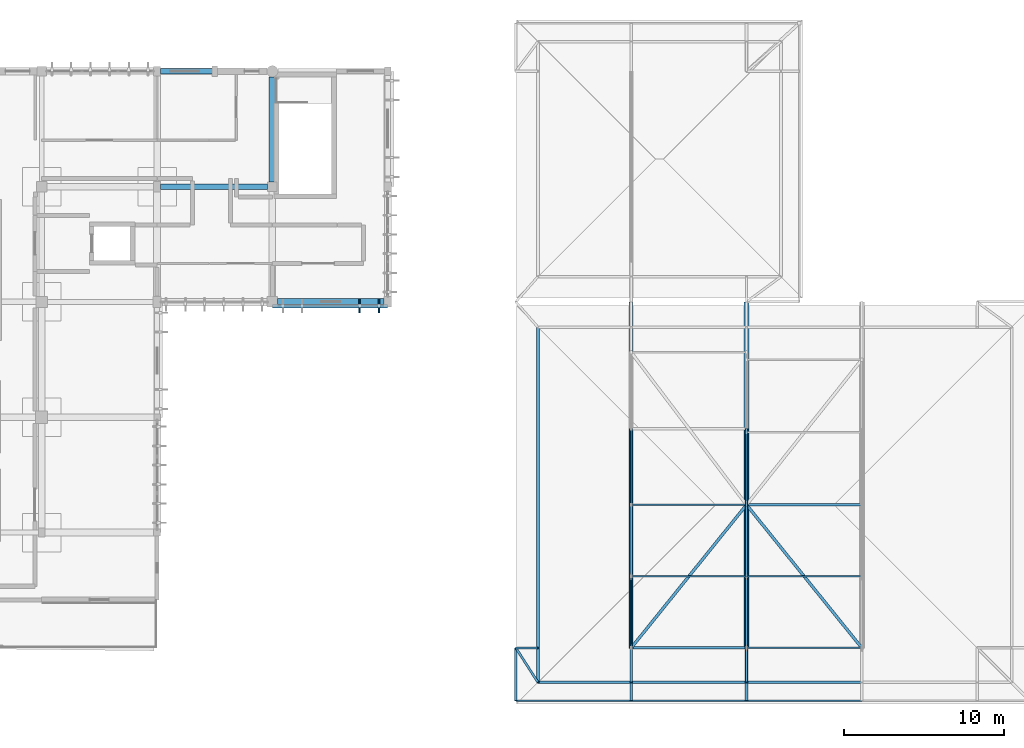
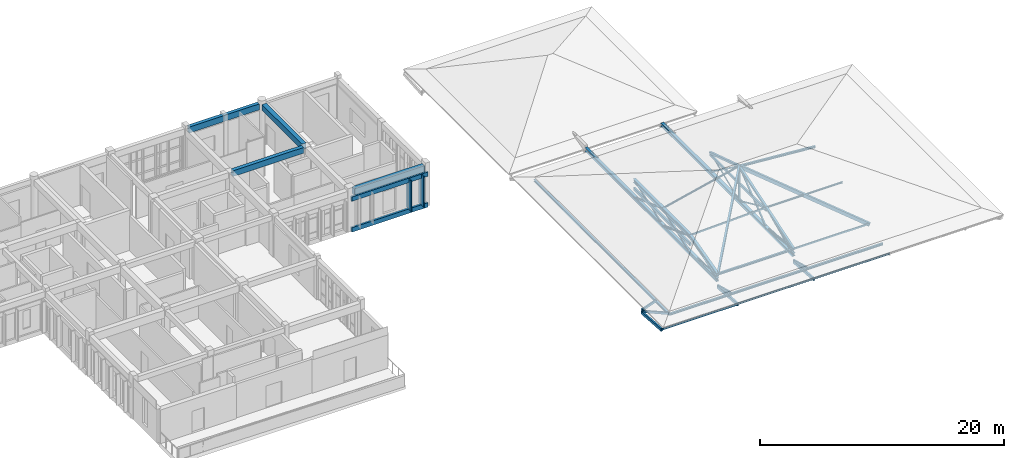
# One storey, part 6 of 19: 46 members, 8 beams.
"""IFC4 building model written with IfcOpenShell, lengths in metres."""

from ifc_helpers import new_model, si_unit, direction, frame, origin, origin_2d, place, context, subcontext, project, spatial, rectangle, hollow_rectangle, hollow_circle, i_section, extrude, material, material_profile, profile_set, type_object, element, save


model = new_model("IFC4")

# Units and contexts
model_context = context("Model", 3, precision=1e-05, world=origin(), true_north=direction((0.0, 1.0)))
body_context = subcontext(model_context, "Body", "Model", "MODEL_VIEW")
ifc_project = project(units=[si_unit("LENGTHUNIT", "METRE"), si_unit("AREAUNIT", "SQUARE_METRE"), si_unit("VOLUMEUNIT", "CUBIC_METRE"), si_unit("PLANEANGLEUNIT", "RADIAN"), si_unit("MASSUNIT", "GRAM", prefix="KILO")], contexts=[model_context])

# Site, building, storey
site_placement = place(None, origin())
site = spatial("IfcSite", under=ifc_project, at=site_placement, CompositionType="ELEMENT")
building_placement = place(site_placement, origin())
building = spatial("IfcBuilding", under=site, at=building_placement, Name="Steenspoor Specialist Clinic", CompositionType="ELEMENT")
storey_placement = place(building_placement, frame((0.0, 0.0, 21.60009765625)))
storey = spatial("IfcBuildingStorey", under=building, at=storey_placement, Name="L05", CompositionType="ELEMENT", Elevation=21.60009765625)

# Beams
ifc_material_1 = material(Name="Glulam GL28h", Category="wood")
ifc_material_profile_1 = material_profile(ifc_material_1, rectangle(XDim=0.199951171875, YDim=0.43994140625, at=origin_2d()), Name="GL28H-200X440")
ifc_profile_set_1 = profile_set([ifc_material_profile_1], Name="Glulam GL28h")
beam_type_1 = type_object("IfcBeamType", Name="BM-GL-200X440", PredefinedType="BEAM", material=ifc_profile_set_1)
for number, where, z_axis, x_axis, name in (
    (1, (110.0, 93.68505859375, 0.139892578125), (-1.0, 0.0, 0.0), (0.0, -1.0, 0.0), "Timber Screen Tie Rail V4 L05 150"),
    (2, (110.0, 93.68505859375, 3.219970703125), (-1.0, 0.0, 0.0), (0.0, -1.0, 0.0), "Timber Screen Tie Rail V4 L05 151"),
):
    element("IfcBeam", number, at=place(storey_placement, frame(where, z_axis=z_axis, x_axis=x_axis)), inside=storey, type_object=beam_type_1, Name=name, PredefinedType="BEAM", context=body_context, shape_type="SweptSolid", body=[
        extrude(rectangle(XDim=0.199951171875, YDim=0.43994140625, at=origin_2d()), origin(), (0.0, 0.0, 1.0), 7.199951171875),
    ])
ifc_material_2 = material(Name="Concrete C35/45", Category="concrete")
ifc_material_profile_2 = material_profile(ifc_material_2, rectangle(XDim=0.35009765625, YDim=0.580078125, at=origin_2d()), Name="RC-BM-350X580")
ifc_profile_set_2 = profile_set([ifc_material_profile_2], Name="Concrete C35/45")
beam_type_2 = type_object("IfcBeamType", Name="BM-RC-350X580", PredefinedType="BEAM", material=ifc_profile_set_2)
beam_1_placement = place(storey_placement, frame((95.820068359375, 101.14990234375, 3.744873046875), z_axis=(1.0, 0.0, 0.0), x_axis=(0.0, 1.0, 0.0)))
element("IfcBeam", 3, at=beam_1_placement, inside=storey, type_object=beam_type_2, Name="BM-V4-L05-X1020", PredefinedType="BEAM", context=body_context, shape_type="SweptSolid", body=[
    extrude(rectangle(XDim=0.35009765625, YDim=0.580078125, at=origin_2d()), origin(), (0.0, 0.0, 1.0), 6.684814453125),
])
ifc_material_profile_3 = material_profile(ifc_material_2, rectangle(XDim=0.39990234375, YDim=0.580078125, at=origin_2d()), Name="RC-BM-400X580")
ifc_profile_set_3 = profile_set([ifc_material_profile_3], Name="Concrete C35/45")
beam_type_3 = type_object("IfcBeamType", Name="BM-RC-400X580", PredefinedType="BEAM", material=ifc_profile_set_3)
beam_2_placement = place(storey_placement, frame((102.800048828125, 101.445068359375, 3.744873046875), z_axis=(0.0, 1.0, 0.0), x_axis=(-1.0, 0.0, 0.0)))
element("IfcBeam", 4, at=beam_2_placement, inside=storey, type_object=beam_type_3, Name="BM-V4-L05-Y1049", PredefinedType="BEAM", context=body_context, shape_type="SweptSolid", body=[
    extrude(rectangle(XDim=0.39990234375, YDim=0.580078125, at=origin_2d()), origin(), (0.0, 0.0, 1.0), 6.559814453125),
])
ifc_material_profile_4 = material_profile(ifc_material_2, rectangle(XDim=0.39990234375, YDim=0.64990234375, at=origin_2d()), Name="RC-BM-400X650")
ifc_profile_set_4 = profile_set([ifc_material_profile_4], Name="Concrete C35/45")
beam_type_4 = type_object("IfcBeamType", Name="BM-RC-400X650", PredefinedType="BEAM", material=ifc_profile_set_4)
beam_3_placement = place(storey_placement, frame((103.1201171875, 93.949951171875, 3.7099609375), z_axis=(1.0, 0.0, 0.0), x_axis=(0.0, 1.0, 0.0)))
element("IfcBeam", 5, at=beam_3_placement, inside=storey, type_object=beam_type_4, Name="BM-V4-L05-X1016", PredefinedType="BEAM", context=body_context, shape_type="SweptSolid", body=[
    extrude(rectangle(XDim=0.39990234375, YDim=0.64990234375, at=origin_2d()), origin(), (0.0, 0.0, 1.0), 6.659912109375),
])
ifc_material_3 = material(Name="Steel A992 Grade 50", Category="steel")
ifc_material_profile_5 = material_profile(ifc_material_3, i_section(OverallWidth=0.304931640625, OverallDepth=0.30810546875, WebThickness=0.010009765625, FlangeThickness=0.015380859375, at=origin_2d()), Name="W310X97")
ifc_profile_set_5 = profile_set([ifc_material_profile_5], Name="Steel A992 Grade 50")
beam_type_5 = type_object("IfcBeamType", Name="BM-ST-W310X97", PredefinedType="BEAM", material=ifc_profile_set_5)
beam_4_placement = place(storey_placement, frame((132.39990234375, 72.35009765625, 0.173828125), z_axis=(0.0, 1.0, 0.0), x_axis=(-1.0, 0.0, 0.0)))
element("IfcBeam", 6, at=beam_4_placement, inside=storey, type_object=beam_type_5, Name="ROOF TRUSS Bottom Tie Chord V6 3", PredefinedType="BEAM", context=body_context, shape_type="SweptSolid", body=[
    extrude(i_section(OverallWidth=0.304931640625, OverallDepth=0.30810546875, WebThickness=0.010009765625, FlangeThickness=0.015380859375, at=origin_2d()), origin(), (0.0, 0.0, 1.0), 21.599853515625),
])
ifc_material_profile_6 = material_profile(ifc_material_3, i_section(OverallWidth=0.257080078125, OverallDepth=0.363037109375, WebThickness=0.012939453125, FlangeThickness=0.021728515625, at=origin_2d()), Name="W360X122")
ifc_profile_set_6 = profile_set([ifc_material_profile_6], Name="Steel A992 Grade 50")
beam_type_6 = type_object("IfcBeamType", Name="BM-ST-W360X122", PredefinedType="BEAM", material=ifc_profile_set_6)
beam_5_placement = place(storey_placement, frame((125.199951171875, 72.35009765625, 0.201416015625), z_axis=(0.0, 1.0, 0.0), x_axis=(-1.0, 0.0, 0.0)))
element("IfcBeam", 7, at=beam_5_placement, inside=storey, type_object=beam_type_6, Name="ROOF TRUSS Bottom Tie Chord V6 2", PredefinedType="BEAM", context=body_context, shape_type="SweptSolid", body=[
    extrude(i_section(OverallWidth=0.257080078125, OverallDepth=0.363037109375, WebThickness=0.012939453125, FlangeThickness=0.021728515625, at=origin_2d()), origin(), (0.0, 0.0, 1.0), 21.599853515625),
])

# Members
ifc_material_4 = material(Name="Steel A500 Grade C", Category="steel")
ifc_material_profile_7 = material_profile(ifc_material_4, hollow_circle(Radius=0.084228515625, WallThickness=0.007080078125, at=origin_2d()), Name="CHS168X7.1")
ifc_profile_set_7 = profile_set([ifc_material_profile_7], Name="Steel A500 Grade C")
member_type_1 = type_object("IfcMemberType", Name="MEM-BRACE-CHS168", PredefinedType="BRACE", material=ifc_profile_set_7)
member_1_placement = place(storey_placement, frame((125.199951171875, 72.35009765625, 0.201416015625), z_axis=(0.0, 0.936644344069, 0.35028184755), x_axis=(-1.0, 0.0, 0.0)))
element("IfcMember", 8, at=member_1_placement, inside=storey, type_object=member_type_1, Name="ROOF TRUSS Web Brace V6 2.1", PredefinedType="BRACE", context=body_context, shape_type="SweptSolid", body=[
    extrude(hollow_circle(Radius=0.084228515625, WallThickness=0.007080078125, at=origin_2d()), origin(), (0.0, 0.0, 1.0), 4.76953125),
])
ifc_material_profile_8 = material_profile(ifc_material_4, hollow_rectangle(XDim=0.126953125, YDim=0.126953125, WallThickness=0.0087890625, at=origin_2d()), Name="HSS127X127X9.5")
ifc_profile_set_8 = profile_set([ifc_material_profile_8], Name="Steel A500 Grade C")
member_type_2 = type_object("IfcMemberType", Name="MEM-BRACE-H127A", PredefinedType="BRACE", material=ifc_profile_set_8)
member_2_placement = place(storey_placement, frame((125.199951171875, 81.284912109375, 1.8720703125), z_axis=(0.0, 0.943517420989, -0.33132291845), x_axis=(-1.0, 0.0, 0.0)))
element("IfcMember", 9, at=member_2_placement, inside=storey, type_object=member_type_2, Name="ROOF TRUSS Web Brace V6 2.3", PredefinedType="BRACE", context=body_context, shape_type="SweptSolid", body=[
    extrude(hollow_rectangle(XDim=0.126953125, YDim=0.126953125, WallThickness=0.0087890625, at=origin_2d()), origin(), (0.0, 0.0, 1.0), 5.04248046875),
])
member_3_placement = place(storey_placement, frame((132.39990234375, 76.8173828125, 0.173828125), z_axis=(0.0, 0.790032877415, 0.613064476709), x_axis=(-1.0, 0.0, 0.0)))
element("IfcMember", 10, at=member_3_placement, inside=storey, type_object=member_type_2, Name="ROOF TRUSS Web Brace V6 3.2", PredefinedType="BRACE", context=body_context, shape_type="SweptSolid", body=[
    extrude(hollow_rectangle(XDim=0.126953125, YDim=0.126953125, WallThickness=0.0087890625, at=origin_2d()), origin(), (0.0, 0.0, 1.0), 5.65478515625),
])
ifc_material_profile_9 = material_profile(ifc_material_4, hollow_rectangle(XDim=0.126953125, YDim=0.126953125, WallThickness=0.005859375, at=origin_2d()), Name="HSS127X127X6.4")
ifc_profile_set_9 = profile_set([ifc_material_profile_9], Name="Steel A500 Grade C")
member_type_3 = type_object("IfcMemberType", Name="MEM-BRACE-H127B", PredefinedType="BRACE", material=ifc_profile_set_9)
member_4_placement = place(storey_placement, frame((132.39990234375, 81.284912109375, 3.640625), z_axis=(0.0, 0.80819053087, -0.588921103215), x_axis=(-1.0, 0.0, 0.0)))
element("IfcMember", 11, at=member_4_placement, inside=storey, type_object=member_type_3, Name="ROOF TRUSS Web Brace V6 3.3", PredefinedType="BRACE", context=body_context, shape_type="SweptSolid", body=[
    extrude(hollow_rectangle(XDim=0.126953125, YDim=0.126953125, WallThickness=0.005859375, at=origin_2d()), origin(), (0.0, 0.0, 1.0), 5.88671875),
])
ifc_material_profile_10 = material_profile(ifc_material_4, hollow_rectangle(XDim=0.15234375, YDim=0.15234375, WallThickness=0.0087890625, at=origin_2d()), Name="HSS152X152X9.5")
ifc_profile_set_10 = profile_set([ifc_material_profile_10], Name="Steel A500 Grade C")
member_type_4 = type_object("IfcMemberType", Name="MEM-BRACE-H152", PredefinedType="BRACE", material=ifc_profile_set_10)
member_5_placement = place(storey_placement, frame((125.199951171875, 76.8173828125, 0.201416015625), z_axis=(0.0, 0.936650624293, 0.350265053939), x_axis=(-1.0, 0.0, 0.0)))
element("IfcMember", 12, at=member_5_placement, inside=storey, type_object=member_type_4, Name="ROOF TRUSS Web Brace V6 2.2", PredefinedType="BRACE", context=body_context, shape_type="SweptSolid", body=[
    extrude(hollow_rectangle(XDim=0.15234375, YDim=0.15234375, WallThickness=0.0087890625, at=origin_2d()), origin(), (0.0, 0.0, 1.0), 4.769775390625),
])
member_6_placement = place(storey_placement, frame((132.39990234375, 72.35009765625, 0.173828125), z_axis=(0.0, 0.910352846422, 0.413832931279), x_axis=(-1.0, 0.0, 0.0)))
element("IfcMember", 13, at=member_6_placement, inside=storey, type_object=member_type_4, Name="ROOF TRUSS Web Brace V6 3.1", PredefinedType="BRACE", context=body_context, shape_type="SweptSolid", body=[
    extrude(hollow_rectangle(XDim=0.15234375, YDim=0.15234375, WallThickness=0.0087890625, at=origin_2d()), origin(), (0.0, 0.0, 1.0), 4.9072265625),
])
ifc_material_profile_11 = material_profile(ifc_material_4, hollow_rectangle(XDim=0.203125, YDim=0.203125, WallThickness=0.01171875, at=origin_2d()), Name="HSS203X203X12.7")
ifc_profile_set_11 = profile_set([ifc_material_profile_11], Name="Steel A500 Grade C")
member_type_5 = type_object("IfcMemberType", Name="MEM-CHORD-H203", PredefinedType="CHORD", material=ifc_profile_set_11)
member_7_placement = place(storey_placement, frame((132.39990234375, 72.35009765625, 0.768310546875), z_axis=(0.0, 0.952005822783, 0.306079913402), x_axis=(-1.0, 0.0, 0.0)))
element("IfcMember", 14, at=member_7_placement, inside=storey, type_object=member_type_5, Name="ROOF TRUSS Top Chord V6 3.1", PredefinedType="CHORD", context=body_context, shape_type="SweptSolid", body=[
    extrude(hollow_rectangle(XDim=0.203125, YDim=0.203125, WallThickness=0.01171875, at=origin_2d()), origin(), (0.0, 0.0, 1.0), 4.6923828125),
])
member_8_placement = place(storey_placement, frame((132.39990234375, 76.8173828125, 2.20458984375), z_axis=(0.0, 0.952025854687, 0.306017600813), x_axis=(-1.0, 0.0, 0.0)))
element("IfcMember", 15, at=member_8_placement, inside=storey, type_object=member_type_5, Name="ROOF TRUSS Top Chord V6 3.2", PredefinedType="CHORD", context=body_context, shape_type="SweptSolid", body=[
    extrude(hollow_rectangle(XDim=0.203125, YDim=0.203125, WallThickness=0.01171875, at=origin_2d()), origin(), (0.0, 0.0, 1.0), 4.692626953125),
])
member_9_placement = place(storey_placement, frame((132.39990234375, 81.284912109375, 3.640625), z_axis=(0.0, 0.952023986382, -0.30602341308), x_axis=(-1.0, 0.0, 0.0)))
element("IfcMember", 16, at=member_9_placement, inside=storey, type_object=member_type_5, Name="ROOF TRUSS Top Chord V6 3.3", PredefinedType="CHORD", context=body_context, shape_type="SweptSolid", body=[
    extrude(hollow_rectangle(XDim=0.203125, YDim=0.203125, WallThickness=0.01171875, at=origin_2d()), origin(), (0.0, 0.0, 1.0), 4.997314453125),
])
ifc_material_profile_12 = material_profile(ifc_material_3, i_section(OverallWidth=0.257080078125, OverallDepth=0.363037109375, WebThickness=0.012939453125, FlangeThickness=0.021728515625, at=origin_2d()), Name="W360X122")
ifc_profile_set_12 = profile_set([ifc_material_profile_12], Name="Steel A992 Grade 50")
member_type_6 = type_object("IfcMemberType", Name="MEM-CHORD-W360", PredefinedType="CHORD", material=ifc_profile_set_12)
member_10_placement = place(storey_placement, frame((125.199951171875, 72.35009765625, 0.6923828125), z_axis=(0.0, 0.966856528789, 0.25532029441), x_axis=(-1.0, 0.0, 0.0)))
element("IfcMember", 17, at=member_10_placement, inside=storey, type_object=member_type_6, Name="ROOF TRUSS Top Chord V6 2.1", PredefinedType="CHORD", context=body_context, shape_type="SweptSolid", body=[
    extrude(i_section(OverallWidth=0.257080078125, OverallDepth=0.363037109375, WebThickness=0.012939453125, FlangeThickness=0.021728515625, at=origin_2d()), origin(), (0.0, 0.0, 1.0), 4.620361328125),
])
member_11_placement = place(storey_placement, frame((125.199951171875, 76.8173828125, 1.8720703125), z_axis=(0.0, 1.0, 0.0), x_axis=(-1.0, 0.0, 0.0)))
element("IfcMember", 18, at=member_11_placement, inside=storey, type_object=member_type_6, Name="ROOF TRUSS Top Chord V6 2.2", PredefinedType="CHORD", context=body_context, shape_type="SweptSolid", body=[
    extrude(i_section(OverallWidth=0.257080078125, OverallDepth=0.363037109375, WebThickness=0.012939453125, FlangeThickness=0.021728515625, at=origin_2d()), origin(), (0.0, 0.0, 1.0), 4.467529296875),
])
member_12_placement = place(storey_placement, frame((125.199951171875, 81.284912109375, 1.8720703125), z_axis=(0.0, 1.0, 0.0), x_axis=(-1.0, 0.0, 0.0)))
element("IfcMember", 19, at=member_12_placement, inside=storey, type_object=member_type_6, Name="ROOF TRUSS Top Chord V6 2.3", PredefinedType="CHORD", context=body_context, shape_type="SweptSolid", body=[
    extrude(i_section(OverallWidth=0.257080078125, OverallDepth=0.363037109375, WebThickness=0.012939453125, FlangeThickness=0.021728515625, at=origin_2d()), origin(), (0.0, 0.0, 1.0), 4.757568359375),
])
ifc_material_profile_13 = material_profile(ifc_material_4, hollow_rectangle(XDim=0.1015625, YDim=0.15234375, WallThickness=0.005859375, at=origin_2d()), Name="HSS152X102X6.4")
ifc_profile_set_13 = profile_set([ifc_material_profile_13], Name="Steel A500 Grade C")
member_type_7 = type_object("IfcMemberType", Name="MEM-PURLIN-H152", PredefinedType="PURLIN", material=ifc_profile_set_13)
for number, where, z_axis, x_axis, name in (
    (20, (118.0, 69.050048828125, -0.243408203125), (1.0, 0.0, 0.0), (0.0, 1.0, 0.0), "ROOF TRUSS Eave Fascia 516"),
    (21, (125.199951171875, 69.050048828125, -0.195068359375), (1.0, 0.0, 0.0), (0.0, 1.0, 0.0), "ROOF TRUSS Eave Fascia 517"),
):
    element("IfcMember", number, at=place(storey_placement, frame(where, z_axis=z_axis, x_axis=x_axis)), inside=storey, type_object=member_type_7, Name=name, PredefinedType="PURLIN", context=body_context, shape_type="SweptSolid", body=[
        extrude(hollow_rectangle(XDim=0.1015625, YDim=0.15234375, WallThickness=0.005859375, at=origin_2d()), origin(), (0.0, 0.0, 1.0), 7.199951171875),
    ])
member_13_placement = place(storey_placement, frame((132.39990234375, 69.050048828125, -0.195068359375), z_axis=(1.0, 0.0, 0.0), x_axis=(0.0, 1.0, 0.0)))
element("IfcMember", 22, at=member_13_placement, inside=storey, type_object=member_type_7, Name="ROOF TRUSS Eave Fascia 518", PredefinedType="PURLIN", context=body_context, shape_type="SweptSolid", body=[
    extrude(hollow_rectangle(XDim=0.1015625, YDim=0.15234375, WallThickness=0.005859375, at=origin_2d()), origin(), (0.0, 0.0, 1.0), 7.2001953125),
])
member_14_placement = place(storey_placement, frame((125.199951171875, 76.8173828125, 1.968505859375), z_axis=(0.999365571051, 0.0, 0.035615381478), x_axis=(0.0, 1.0, 0.0)))
element("IfcMember", 23, at=member_14_placement, inside=storey, type_object=member_type_7, Name="ROOF TRUSS Purlin 538", PredefinedType="PURLIN", context=body_context, shape_type="SweptSolid", body=[
    extrude(hollow_rectangle(XDim=0.1015625, YDim=0.15234375, WallThickness=0.005859375, at=origin_2d()), origin(), (0.0, 0.0, 1.0), 7.20458984375),
])
member_15_placement = place(storey_placement, frame((132.39990234375, 72.35009765625, 0.788818359375), z_axis=(1.0, 0.0, 0.0), x_axis=(0.0, 1.0, 0.0)))
element("IfcMember", 24, at=member_15_placement, inside=storey, type_object=member_type_7, Name="ROOF TRUSS Purlin 542", PredefinedType="PURLIN", context=body_context, shape_type="SweptSolid", body=[
    extrude(hollow_rectangle(XDim=0.1015625, YDim=0.15234375, WallThickness=0.005859375, at=origin_2d()), origin(), (0.0, 0.0, 1.0), 7.2001953125),
])
ifc_material_profile_14 = material_profile(ifc_material_3, i_section(OverallWidth=0.10205078125, OverallDepth=0.159912109375, WebThickness=0.006591796875, FlangeThickness=0.01025390625, at=origin_2d()), Name="W150X24")
ifc_profile_set_14 = profile_set([ifc_material_profile_14], Name="Steel A992 Grade 50")
member_type_8 = type_object("IfcMemberType", Name="MEM-PURLIN-W150", PredefinedType="PURLIN", material=ifc_profile_set_14)
member_16_placement = place(storey_placement, frame((125.199951171875, 81.284912109375, 1.96484375), z_axis=(0.973469091922, 0.0, 0.228818546173), x_axis=(0.0, 1.0, 0.0)))
element("IfcMember", 25, at=member_16_placement, inside=storey, type_object=member_type_8, Name="ROOF TRUSS Purlin 539", PredefinedType="PURLIN", context=body_context, shape_type="SweptSolid", body=[
    extrude(i_section(OverallWidth=0.10205078125, OverallDepth=0.159912109375, WebThickness=0.006591796875, FlangeThickness=0.01025390625, at=origin_2d()), origin(), (0.0, 0.0, 1.0), 7.396240234375),
])
member_17_placement = place(storey_placement, frame((132.39990234375, 76.8173828125, 2.22119140625), z_axis=(1.0, 0.0, 0.0), x_axis=(0.0, 1.0, 0.0)))
element("IfcMember", 26, at=member_17_placement, inside=storey, type_object=member_type_8, Name="ROOF TRUSS Purlin 543", PredefinedType="PURLIN", context=body_context, shape_type="SweptSolid", body=[
    extrude(i_section(OverallWidth=0.10205078125, OverallDepth=0.159912109375, WebThickness=0.006591796875, FlangeThickness=0.01025390625, at=origin_2d()), origin(), (0.0, 0.0, 1.0), 7.2001953125),
])
ifc_material_profile_15 = material_profile(ifc_material_3, i_section(OverallWidth=0.1650390625, OverallDepth=0.200927734375, WebThickness=0.006103515625, FlangeThickness=0.01025390625, at=origin_2d()), Name="W200X36")
ifc_profile_set_15 = profile_set([ifc_material_profile_15], Name="Steel A992 Grade 50")
member_type_9 = type_object("IfcMemberType", Name="MEM-PURLIN-W200", PredefinedType="PURLIN", material=ifc_profile_set_15)
member_18_placement = place(storey_placement, frame((119.3798828125, 70.199951171875, 0.075439453125), z_axis=(1.0, 0.0, 0.0), x_axis=(0.0, 1.0, 0.0)))
element("IfcMember", 27, at=member_18_placement, inside=storey, type_object=member_type_9, Name="ROOF TRUSS Knuckle Purlin 523", PredefinedType="PURLIN", context=body_context, shape_type="SweptSolid", body=[
    extrude(i_section(OverallWidth=0.1650390625, OverallDepth=0.200927734375, WebThickness=0.006103515625, FlangeThickness=0.01025390625, at=origin_2d()), origin(), (0.0, 0.0, 1.0), 5.820068359375),
])
member_19_placement = place(storey_placement, frame((125.199951171875, 70.199951171875, 0.075439453125), z_axis=(1.0, 0.0, 0.0), x_axis=(0.0, 1.0, 0.0)))
element("IfcMember", 28, at=member_19_placement, inside=storey, type_object=member_type_9, Name="ROOF TRUSS Knuckle Purlin 525", PredefinedType="PURLIN", context=body_context, shape_type="SweptSolid", body=[
    extrude(i_section(OverallWidth=0.1650390625, OverallDepth=0.200927734375, WebThickness=0.006103515625, FlangeThickness=0.01025390625, at=origin_2d()), origin(), (0.0, 0.0, 1.0), 7.199951171875),
])
member_20_placement = place(storey_placement, frame((132.39990234375, 70.199951171875, 0.075439453125), z_axis=(1.0, 0.0, 0.0), x_axis=(0.0, 1.0, 0.0)))
element("IfcMember", 29, at=member_20_placement, inside=storey, type_object=member_type_9, Name="ROOF TRUSS Knuckle Purlin 527", PredefinedType="PURLIN", context=body_context, shape_type="SweptSolid", body=[
    extrude(i_section(OverallWidth=0.1650390625, OverallDepth=0.200927734375, WebThickness=0.006103515625, FlangeThickness=0.01025390625, at=origin_2d()), origin(), (0.0, 0.0, 1.0), 7.2001953125),
])
member_21_placement = place(storey_placement, frame((119.3798828125, 70.199951171875, 0.075439453125), z_axis=(0.0, 1.0, 0.0), x_axis=(-1.0, 0.0, 0.0)))
element("IfcMember", 30, at=member_21_placement, inside=storey, type_object=member_type_9, Name="ROOF TRUSS Knuckle Purlin 533", PredefinedType="PURLIN", context=body_context, shape_type="SweptSolid", body=[
    extrude(i_section(OverallWidth=0.1650390625, OverallDepth=0.200927734375, WebThickness=0.006103515625, FlangeThickness=0.01025390625, at=origin_2d()), origin(), (0.0, 0.0, 1.0), 2.150146484375),
])
member_22_placement = place(storey_placement, frame((119.3798828125, 72.35009765625, 0.075439453125), z_axis=(0.0, 1.0, 0.0), x_axis=(-1.0, 0.0, 0.0)))
element("IfcMember", 31, at=member_22_placement, inside=storey, type_object=member_type_9, Name="ROOF TRUSS Knuckle Purlin 534", PredefinedType="PURLIN", context=body_context, shape_type="SweptSolid", body=[
    extrude(i_section(OverallWidth=0.1650390625, OverallDepth=0.200927734375, WebThickness=0.006103515625, FlangeThickness=0.01025390625, at=origin_2d()), origin(), (0.0, 0.0, 1.0), 20.02001953125),
])
member_23_placement = place(storey_placement, frame((125.199951171875, 72.35009765625, 0.7646484375), z_axis=(1.0, 0.0, 0.0), x_axis=(0.0, 1.0, 0.0)))
element("IfcMember", 32, at=member_23_placement, inside=storey, type_object=member_type_9, Name="ROOF TRUSS Purlin 537", PredefinedType="PURLIN", context=body_context, shape_type="SweptSolid", body=[
    extrude(i_section(OverallWidth=0.1650390625, OverallDepth=0.200927734375, WebThickness=0.006103515625, FlangeThickness=0.01025390625, at=origin_2d()), origin(), (0.0, 0.0, 1.0), 7.199951171875),
])
member_24_placement = place(storey_placement, frame((132.39990234375, 81.284912109375, 3.63671875), z_axis=(0.997014579358, 0.0, -0.077213525677), x_axis=(0.0, 1.0, 0.0)))
element("IfcMember", 33, at=member_24_placement, inside=storey, type_object=member_type_9, Name="ROOF TRUSS Purlin 544", PredefinedType="PURLIN", context=body_context, shape_type="SweptSolid", body=[
    extrude(i_section(OverallWidth=0.1650390625, OverallDepth=0.200927734375, WebThickness=0.006103515625, FlangeThickness=0.01025390625, at=origin_2d()), origin(), (0.0, 0.0, 1.0), 7.2216796875),
])
ifc_material_profile_16 = material_profile(ifc_material_1, rectangle(XDim=0.139892578125, YDim=0.219970703125, at=origin_2d()), Name="GL28H-140X220")
ifc_profile_set_16 = profile_set([ifc_material_profile_16], Name="Glulam GL28h")
member_type_10 = type_object("IfcMemberType", Name="MEM-RAFTER-GL220", PredefinedType="RAFTER", material=ifc_profile_set_16)
for number, where, z_axis, x_axis, name in (
    (34, (125.199951171875, 72.35009765625, -0.397705078125), (0.0, -0.966140194325, 0.258017683326), (1.0, 0.0, 0.0), "ROOF TRUSS Knuckle Rafter V6 353"),
    (35, (132.39990234375, 72.35009765625, -0.397705078125), (0.0, -0.966140194325, 0.258017683326), (1.0, 0.0, 0.0), "ROOF TRUSS Knuckle Rafter V6 356"),
):
    element("IfcMember", number, at=place(storey_placement, frame(where, z_axis=z_axis, x_axis=x_axis)), inside=storey, type_object=member_type_10, Name=name, PredefinedType="RAFTER", context=body_context, shape_type="SweptSolid", body=[
        extrude(rectangle(XDim=0.139892578125, YDim=0.219970703125, at=origin_2d()), origin(), (0.0, 0.0, 1.0), 2.2255859375),
    ])
member_25_placement = place(storey_placement, frame((118.0, 72.35009765625, -0.32470703125), z_axis=(0.939914749407, 0.0, 0.341409232224), x_axis=(0.0, 1.0, 0.0)))
element("IfcMember", 36, at=member_25_placement, inside=storey, type_object=member_type_10, Name="ROOF TRUSS Knuckle Rafter V6 364", PredefinedType="RAFTER", context=body_context, shape_type="SweptSolid", body=[
    extrude(rectangle(XDim=0.139892578125, YDim=0.219970703125, at=origin_2d()), origin(), (0.0, 0.0, 1.0), 1.468017578125),
])
member_26_placement = place(storey_placement, frame((118.0, 72.35009765625, -0.435546875), z_axis=(0.525242967525, -0.81843857307, 0.232976666593), x_axis=(0.841597375976, 0.540105412628, 0.0)))
element("IfcMember", 37, at=member_26_placement, inside=storey, type_object=member_type_10, Name="ROOF TRUSS Corner Knuckle Rafter V6 368", PredefinedType="RAFTER", context=body_context, shape_type="SweptSolid", body=[
    extrude(rectangle(XDim=0.139892578125, YDim=0.219970703125, at=origin_2d()), origin(), (0.0, 0.0, 1.0), 2.627197265625),
])
member_27_placement = place(storey_placement, frame((132.39990234375, 76.8173828125, 1.90673828125), z_axis=(0.0, 1.0, 0.0), x_axis=(-1.0, 0.0, 0.0)))
element("IfcMember", 38, at=member_27_placement, inside=storey, type_object=member_type_10, Name="ROOF TRUSS Glulam Collar Rafter V6 3", PredefinedType="RAFTER", context=body_context, shape_type="SweptSolid", body=[
    extrude(rectangle(XDim=0.139892578125, YDim=0.219970703125, at=origin_2d()), origin(), (0.0, 0.0, 1.0), 9.22509765625),
])
member_28_placement = place(storey_placement, frame((132.39990234375, 81.284912109375, 0.179931640625), z_axis=(0.0, 0.0, 1.0), x_axis=(1.0, 0.0, 0.0)))
element("IfcMember", 39, at=member_28_placement, inside=storey, type_object=member_type_10, Name="ROOF TRUSS Hip King Post V6 W", PredefinedType="RAFTER", context=body_context, shape_type="SweptSolid", body=[
    extrude(rectangle(XDim=0.139892578125, YDim=0.219970703125, at=origin_2d()), origin(), (0.0, 0.0, 1.0), 3.500732421875),
])
ifc_material_profile_17 = material_profile(ifc_material_1, rectangle(XDim=0.159912109375, YDim=0.280029296875, at=origin_2d()), Name="GL28H-160X280")
ifc_profile_set_17 = profile_set([ifc_material_profile_17], Name="Glulam GL28h")
member_type_11 = type_object("IfcMemberType", Name="MEM-RAFTER-GL280", PredefinedType="RAFTER", material=ifc_profile_set_17)
for number, where, z_axis, x_axis, name in (
    (40, (118.0, 72.35009765625, -0.540283203125), (0.0, -0.997513468668, 0.070476093999), (1.0, 0.0, 0.0), "ROOF TRUSS Flared Eave Glulam Outrigger V6 351"),
    (41, (125.199951171875, 72.35009765625, -0.5), (0.0, -0.997518653982, 0.070402663009), (1.0, 0.0, 0.0), "ROOF TRUSS Flared Eave Glulam Outrigger V6 352"),
    (42, (132.39990234375, 72.35009765625, -0.5), (0.0, -0.997518653982, 0.070402663009), (1.0, 0.0, 0.0), "ROOF TRUSS Flared Eave Glulam Outrigger V6 355"),
):
    element("IfcMember", number, at=place(storey_placement, frame(where, z_axis=z_axis, x_axis=x_axis)), inside=storey, type_object=member_type_11, Name=name, PredefinedType="RAFTER", context=body_context, shape_type="SweptSolid", body=[
        extrude(rectangle(XDim=0.159912109375, YDim=0.280029296875, at=origin_2d()), origin(), (0.0, 0.0, 1.0), 3.308349609375),
    ])
member_29_placement = place(storey_placement, frame((125.199951171875, 76.8173828125, 1.036376953125), z_axis=(0.0, 1.0, 0.0), x_axis=(-1.0, 0.0, 0.0)))
element("IfcMember", 43, at=member_29_placement, inside=storey, type_object=member_type_11, Name="ROOF TRUSS Glulam Collar Rafter V6 2", PredefinedType="RAFTER", context=body_context, shape_type="SweptSolid", body=[
    extrude(rectangle(XDim=0.159912109375, YDim=0.280029296875, at=origin_2d()), origin(), (0.0, 0.0, 1.0), 9.22509765625),
])
ifc_material_profile_18 = material_profile(ifc_material_1, rectangle(XDim=0.179931640625, YDim=0.360107421875, at=origin_2d()), Name="GL28H-180X360")
ifc_profile_set_18 = profile_set([ifc_material_profile_18], Name="Glulam GL28h")
member_type_12 = type_object("IfcMemberType", Name="MEM-RAFTER-GL360", PredefinedType="RAFTER", material=ifc_profile_set_18)
member_30_placement = place(storey_placement, frame((125.199951171875, 72.35009765625, 0.6923828125), z_axis=(0.607721014401, 0.754154350955, 0.248850122746), x_axis=(-0.778649089741, 0.627459636188, 0.0)))
element("IfcMember", 44, at=member_30_placement, inside=storey, type_object=member_type_12, Name="ROOF TRUSS Hip Rafter V6 547", PredefinedType="RAFTER", context=body_context, shape_type="SweptSolid", body=[
    extrude(rectangle(XDim=0.179931640625, YDim=0.360107421875, at=origin_2d()), origin(), (0.0, 0.0, 1.0), 11.847412109375),
])
member_31_placement = place(storey_placement, frame((139.60009765625, 72.35009765625, 0.6923828125), z_axis=(-0.607734010479, 0.754144906467, 0.248847006325), x_axis=(-0.778638694788, -0.627472535637, 0.0)))
element("IfcMember", 45, at=member_31_placement, inside=storey, type_object=member_type_12, Name="ROOF TRUSS Hip Rafter V6 549", PredefinedType="RAFTER", context=body_context, shape_type="SweptSolid", body=[
    extrude(rectangle(XDim=0.179931640625, YDim=0.360107421875, at=origin_2d()), origin(), (0.0, 0.0, 1.0), 11.84765625),
])
ifc_material_profile_19 = material_profile(ifc_material_1, rectangle(XDim=0.090087890625, YDim=0.85009765625, at=origin_2d()), Name="GL28H-90X850")
ifc_profile_set_19 = profile_set([ifc_material_profile_19], Name="Glulam GL28h")
member_type_13 = type_object("IfcMemberType", Name="MEM-SCREEN-GL850", PredefinedType="STRUT", material=ifc_profile_set_19)
for number, where, z_axis, x_axis, name in (
    (46, (109.449951171875, 93.68505859375, 0.27001953125), (0.0, 0.0, 1.0), (-1.0, 0.0, 0.0), "Glulam Timber Screen Fin SCR-FIN-V4-L05-0152"),
    (47, (108.25, 93.68505859375, 0.27001953125), (0.0, 0.0, 1.0), (-1.0, 0.0, 0.0), "Glulam Timber Screen Fin SCR-FIN-V4-L05-0153"),
):
    element("IfcMember", number, at=place(storey_placement, frame(where, z_axis=z_axis, x_axis=x_axis)), inside=storey, type_object=member_type_13, Name=name, PredefinedType="STRUT", context=body_context, shape_type="SweptSolid", body=[
        extrude(rectangle(XDim=0.090087890625, YDim=0.85009765625, at=origin_2d()), origin(), (0.0, 0.0, 1.0), 3.08984375),
    ])
ifc_material_profile_20 = material_profile(ifc_material_4, hollow_circle(Radius=0.05712890625, WallThickness=0.006103515625, at=origin_2d()), Name="CHS114X6.0")
ifc_profile_set_20 = profile_set([ifc_material_profile_20], Name="Steel A500 Grade C")
member_type_14 = type_object("IfcMemberType", Name="MEM-STRUT-CHS114", PredefinedType="STRUT", material=ifc_profile_set_20)
member_32_placement = place(storey_placement, frame((125.199951171875, 72.35009765625, 0.6923828125), z_axis=(0.0, 0.994014860758, -0.109244938517), x_axis=(-1.0, 0.0, 0.0)))
element("IfcMember", 48, at=member_32_placement, inside=storey, type_object=member_type_14, Name="ROOF TRUSS Web Strut V6 2.1", PredefinedType="STRUT", context=body_context, shape_type="SweptSolid", body=[
    extrude(hollow_circle(Radius=0.05712890625, WallThickness=0.006103515625, at=origin_2d()), origin(), (0.0, 0.0, 1.0), 4.494140625),
])
member_33_placement = place(storey_placement, frame((132.39990234375, 81.284912109375, 0.173828125), z_axis=(0.0, 0.926144629788, 0.377168562734), x_axis=(-1.0, 0.0, 0.0)))
element("IfcMember", 49, at=member_33_placement, inside=storey, type_object=member_type_14, Name="ROOF TRUSS Web Strut V6 3.3", PredefinedType="STRUT", context=body_context, shape_type="SweptSolid", body=[
    extrude(hollow_circle(Radius=0.05712890625, WallThickness=0.006103515625, at=origin_2d()), origin(), (0.0, 0.0, 1.0), 5.136962890625),
])
ifc_material_profile_21 = material_profile(ifc_material_4, hollow_circle(Radius=0.109619140625, WallThickness=0.00830078125, at=origin_2d()), Name="CHS219X8.2")
ifc_profile_set_21 = profile_set([ifc_material_profile_21], Name="Steel A500 Grade C")
member_type_15 = type_object("IfcMemberType", Name="MEM-STRUT-CHS219", PredefinedType="STRUT", material=ifc_profile_set_21)
member_34_placement = place(storey_placement, frame((125.199951171875, 76.8173828125, 1.8720703125), z_axis=(0.0, 0.936650624293, -0.350265053939), x_axis=(-1.0, 0.0, 0.0)))
element("IfcMember", 50, at=member_34_placement, inside=storey, type_object=member_type_15, Name="ROOF TRUSS Web Strut V6 2.2", PredefinedType="STRUT", context=body_context, shape_type="SweptSolid", body=[
    extrude(hollow_circle(Radius=0.109619140625, WallThickness=0.00830078125, at=origin_2d()), origin(), (0.0, 0.0, 1.0), 4.769775390625),
])
member_35_placement = place(storey_placement, frame((132.39990234375, 72.35009765625, 0.768310546875), z_axis=(0.0, 0.991261460788, -0.131911774894), x_axis=(-1.0, 0.0, 0.0)))
element("IfcMember", 51, at=member_35_placement, inside=storey, type_object=member_type_15, Name="ROOF TRUSS Web Strut V6 3.1", PredefinedType="STRUT", context=body_context, shape_type="SweptSolid", body=[
    extrude(hollow_circle(Radius=0.109619140625, WallThickness=0.00830078125, at=origin_2d()), origin(), (0.0, 0.0, 1.0), 4.506591796875),
])
ifc_material_profile_22 = material_profile(ifc_material_4, hollow_rectangle(XDim=0.1015625, YDim=0.1015625, WallThickness=0.005859375, at=origin_2d()), Name="HSS102X102X6.4")
ifc_profile_set_22 = profile_set([ifc_material_profile_22], Name="Steel A500 Grade C")
member_type_16 = type_object("IfcMemberType", Name="MEM-STRUT-H102", PredefinedType="STRUT", material=ifc_profile_set_22)
member_36_placement = place(storey_placement, frame((125.199951171875, 81.284912109375, 0.201416015625), z_axis=(0.0, 0.943517420989, 0.33132291845), x_axis=(-1.0, 0.0, 0.0)))
element("IfcMember", 52, at=member_36_placement, inside=storey, type_object=member_type_16, Name="ROOF TRUSS Web Strut V6 2.3", PredefinedType="STRUT", context=body_context, shape_type="SweptSolid", body=[
    extrude(hollow_rectangle(XDim=0.1015625, YDim=0.1015625, WallThickness=0.005859375, at=origin_2d()), origin(), (0.0, 0.0, 1.0), 5.04248046875),
])
member_37_placement = place(storey_placement, frame((132.39990234375, 76.8173828125, 2.20458984375), z_axis=(0.0, 0.91036136617, -0.413814188961), x_axis=(-1.0, 0.0, 0.0)))
element("IfcMember", 53, at=member_37_placement, inside=storey, type_object=member_type_16, Name="ROOF TRUSS Web Strut V6 3.2", PredefinedType="STRUT", context=body_context, shape_type="SweptSolid", body=[
    extrude(hollow_rectangle(XDim=0.1015625, YDim=0.1015625, WallThickness=0.005859375, at=origin_2d()), origin(), (0.0, 0.0, 1.0), 4.907470703125),
])

# Beam
ifc_material_profile_23 = material_profile(ifc_material_2, rectangle(XDim=0.320068359375, YDim=0.60009765625, at=origin_2d()), Name="RC-SP-320X600")
ifc_profile_set_23 = profile_set([ifc_material_profile_23], Name="Concrete C35/45")
beam_type_7 = type_object("IfcBeamType", Name="SP-RC-320X600", PredefinedType="SPANDREL", material=ifc_profile_set_23)
beam_6_placement = place(storey_placement, frame((95.820068359375, 108.35009765625, 3.73486328125), z_axis=(1.0, 0.0, 0.0), x_axis=(0.0, 1.0, 0.0)))
element("IfcBeam", 54, at=beam_6_placement, inside=storey, type_object=beam_type_7, Name="BM-V4-L05-X1026", PredefinedType="SPANDREL", context=body_context, shape_type="SweptSolid", body=[
    extrude(rectangle(XDim=0.320068359375, YDim=0.60009765625, at=origin_2d()), origin(), (0.0, 0.0, 1.0), 6.635009765625),
])

save(model, "model.ifc")
